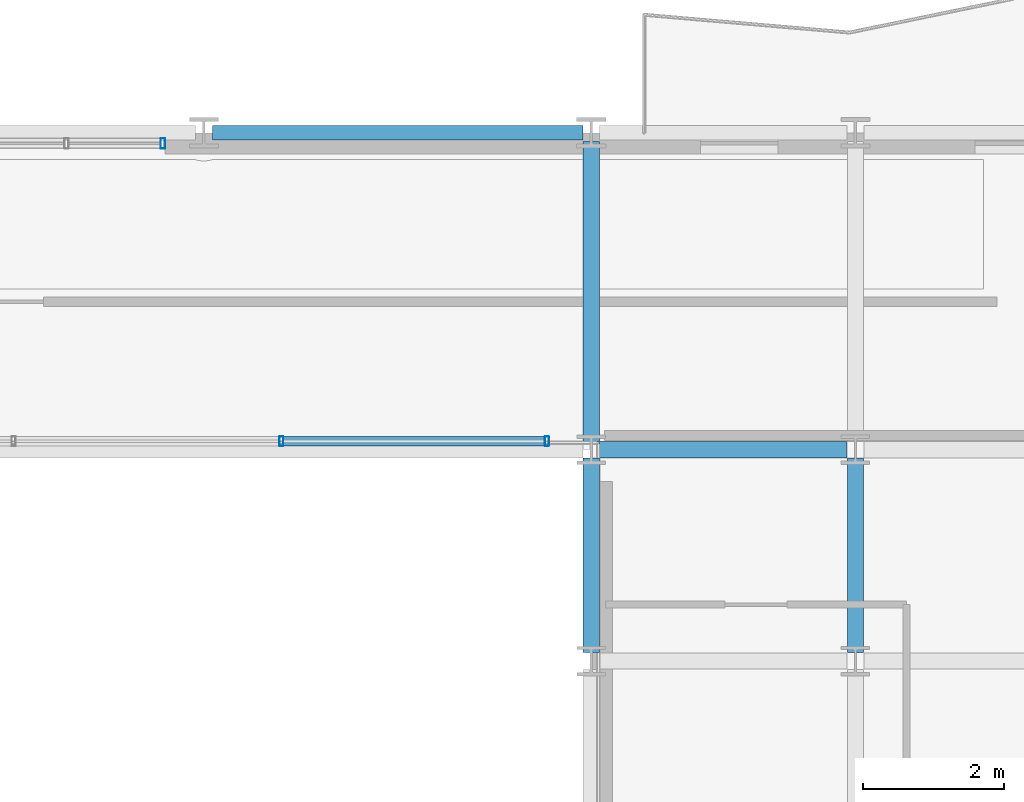
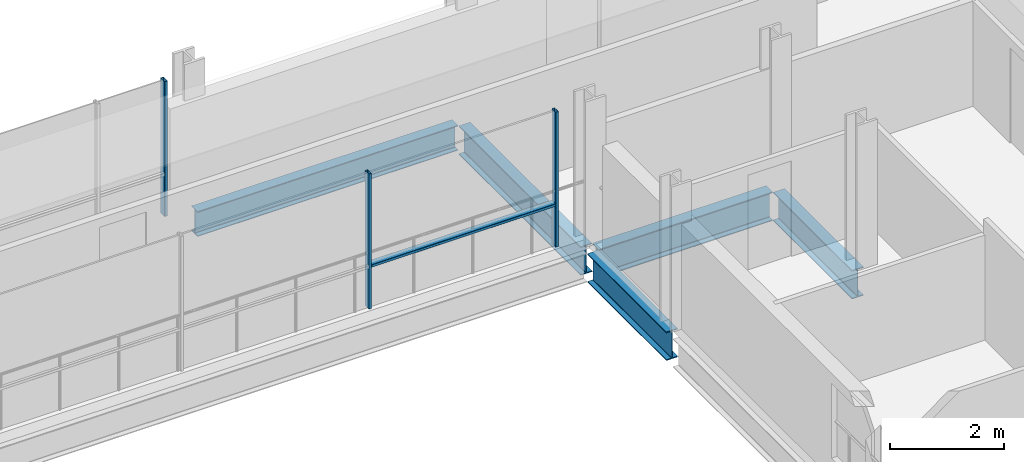
# One storey, part 17 of 39: 5 beams, 4 members, 2 elements without a shape of their own.
"""IFC4 building model written with IfcOpenShell, lengths in metres."""

from ifc_helpers import new_model, si_unit, direction, frame, origin, origin_2d, place, context, subcontext, project, spatial, hollow_rectangle, i_section, extrude, material, layer, layer_set, material_profile, profile_set, type_object, element, aggregate, save


model = new_model("IFC4")

# Units and contexts
model_context = context("Model", 3, precision=1e-05, world=origin(), true_north=direction((0.0, 1.0)))
body_context = subcontext(model_context, "Body", "Model", "MODEL_VIEW")
ifc_project = project(units=[si_unit("LENGTHUNIT", "METRE"), si_unit("AREAUNIT", "SQUARE_METRE"), si_unit("VOLUMEUNIT", "CUBIC_METRE"), si_unit("PLANEANGLEUNIT", "RADIAN"), si_unit("MASSUNIT", "GRAM", prefix="KILO")], contexts=[model_context])

# Site, building, storey
site_placement = place(None, origin())
site = spatial("IfcSite", under=ifc_project, at=site_placement, CompositionType="ELEMENT")
building_placement = place(site_placement, origin())
building = spatial("IfcBuilding", under=site, at=building_placement, Name="Brevholm Reach", CompositionType="ELEMENT")
storey_placement = place(building_placement, frame((0.0, 0.0, 109.699951171875)))
storey = spatial("IfcBuildingStorey", under=building, at=storey_placement, Name="L32", CompositionType="ELEMENT", Elevation=109.699951171875)

# Beams
ifc_material_1 = material(Name="Structural Steel S355J2", Category="steel")
ifc_material_profile_1 = material_profile(ifc_material_1, i_section(OverallWidth=0.209228515625, OverallDepth=0.533203125, WebThickness=0.010009765625, FlangeThickness=0.015625, FilletRadius=0.0126953125, at=origin_2d()), Name="UKB 533x210x92")
ifc_profile_set_1 = profile_set([ifc_material_profile_1], Name="Structural Steel S355J2")
beam_type_1 = type_object("IfcBeamType", Name="BM-SP533", PredefinedType="SPANDREL", material=ifc_profile_set_1)
beam_1_placement = place(storey_placement, frame((32.8701171875, 31.0, -0.486572265625), z_axis=(1.0, 0.0, 0.0), x_axis=(0.0, 1.0, 0.0)))
element("IfcBeam", 1, at=beam_1_placement, inside=storey, type_object=beam_type_1, Name="L32 SP-02 Framing Beam", PredefinedType="SPANDREL", context=body_context, shape_type="SweptSolid", body=[
    extrude(i_section(OverallWidth=0.209228515625, OverallDepth=0.533203125, WebThickness=0.010009765625, FlangeThickness=0.015625, FilletRadius=0.0126953125, at=origin_2d()), origin(), (0.0, 0.0, 1.0), 5.259765625),
])
ifc_material_2 = material(Name="Structural Steel S355J2", Category="steel")
ifc_material_profile_2 = material_profile(ifc_material_2, i_section(OverallWidth=0.22900390625, OverallDepth=0.6123046875, WebThickness=0.011962890625, FlangeThickness=0.01953125, FilletRadius=0.0126953125, at=origin_2d()), Name="UKB 610x229x125")
ifc_profile_set_2 = profile_set([ifc_material_profile_2], Name="Structural Steel S355J2")
beam_type_2 = type_object("IfcBeamType", Name="BM-SP610", PredefinedType="SPANDREL", material=ifc_profile_set_2)
beam_2_placement = place(storey_placement, frame((38.3701171875, 26.5, -0.526123046875), z_axis=(1.0, 0.0, 0.0), x_axis=(0.0, 1.0, 0.0)))
element("IfcBeam", 2, at=beam_2_placement, inside=storey, type_object=beam_type_2, Name="L32 SP-01 Framing Beam", PredefinedType="SPANDREL", context=body_context, shape_type="SweptSolid", body=[
    extrude(i_section(OverallWidth=0.22900390625, OverallDepth=0.6123046875, WebThickness=0.011962890625, FlangeThickness=0.01953125, FilletRadius=0.0126953125, at=origin_2d()), origin(), (0.0, 0.0, 1.0), 3.509765625),
])
beam_3_placement = place(storey_placement, frame((38.25, 23.6201171875, -0.526123046875), z_axis=(0.0, 1.0, 0.0), x_axis=(-1.0, 0.0, 0.0)))
element("IfcBeam", 3, at=beam_3_placement, inside=storey, type_object=beam_type_2, Name="L32 SP-01 Framing Beam", PredefinedType="SPANDREL", context=body_context, shape_type="SweptSolid", body=[
    extrude(i_section(OverallWidth=0.22900390625, OverallDepth=0.6123046875, WebThickness=0.011962890625, FlangeThickness=0.01953125, FilletRadius=0.0126953125, at=origin_2d()), origin(), (0.0, 0.0, 1.0), 2.759765625),
])
beam_4_placement = place(storey_placement, frame((38.25, 26.6201171875, -0.526123046875), z_axis=(0.0, 1.0, 0.0), x_axis=(-1.0, 0.0, 0.0)))
element("IfcBeam", 4, at=beam_4_placement, inside=storey, type_object=beam_type_2, Name="L32 SP-01 Framing Beam", PredefinedType="SPANDREL", context=body_context, shape_type="SweptSolid", body=[
    extrude(i_section(OverallWidth=0.22900390625, OverallDepth=0.6123046875, WebThickness=0.011962890625, FlangeThickness=0.01953125, FilletRadius=0.0126953125, at=origin_2d()), origin(), (0.0, 0.0, 1.0), 4.259765625),
])
beam_5_placement = place(storey_placement, frame((42.0, 23.6201171875, -0.526123046875), z_axis=(0.0, 1.0, 0.0), x_axis=(-1.0, 0.0, 0.0)))
element("IfcBeam", 5, at=beam_5_placement, inside=storey, type_object=beam_type_2, Name="L32 SP-01 Framing Beam", PredefinedType="SPANDREL", context=body_context, shape_type="SweptSolid", body=[
    extrude(i_section(OverallWidth=0.22900390625, OverallDepth=0.6123046875, WebThickness=0.011962890625, FlangeThickness=0.01953125, FilletRadius=0.0126953125, at=origin_2d()), origin(), (0.0, 0.0, 1.0), 2.759765625),
])

# Curtain wall, members
ifc_material_3 = material(Name="Dark Anodised Aluminium 6063-T6 and Solar-Control Glass", Category="aluminium")
ifc_layer_1 = layer(ifc_material_3, 0.139892578125)
ifc_layer_set_1 = layer_set([ifc_layer_1], Name="Dark Anodised Aluminium 6063-T6 and Solar-Control Glass")
curtain_wall_type_1 = type_object("IfcCurtainWallType", Name="CW-02", PredefinedType="NOTDEFINED", material=ifc_layer_set_1)
curtain_wall_1_placement = place(storey_placement, origin())
curtain_wall_1 = element("IfcCurtainWall", 6, at=curtain_wall_1_placement, inside=storey, type_object=curtain_wall_type_1, Name="L32 Curtain Wall CW-02", PredefinedType="NOTDEFINED")
ifc_material_4 = material(Name="Dark Anodised Aluminium 6063-T6", Category="aluminium")
ifc_material_profile_3 = material_profile(ifc_material_4, hollow_rectangle(XDim=0.06005859375, YDim=0.139892578125, WallThickness=0.0048828125, InnerFilletRadius=0.0048828125, OuterFilletRadius=0.010009765625, at=origin_2d()), Name="RHS 140x60x5")
ifc_profile_set_3 = profile_set([ifc_material_profile_3], Name="Dark Anodised Aluminium 6063-T6")
member_type_1 = type_object("IfcMemberType", Name="CWM-140", PredefinedType="MULLION", material=ifc_profile_set_3)
member_1_placement = place(storey_placement, frame((37.6201171875, 26.6201171875, 0.0), z_axis=(0.0, 0.0, 1.0), x_axis=(-1.0, 0.0, 0.0)))
member_1 = element("IfcMember", 7, at=member_1_placement, type_object=member_type_1, Name="CM-140 Mullion 1", PredefinedType="MULLION", context=body_context, shape_type="SweptSolid", body=[
    extrude(hollow_rectangle(XDim=0.06005859375, YDim=0.139892578125, WallThickness=0.0048828125, InnerFilletRadius=0.0048828125, OuterFilletRadius=0.010009765625, at=origin_2d()), origin(), (0.0, 0.0, 1.0), 2.880126953125),
])
member_2_placement = place(storey_placement, frame((33.85009765625, 26.6201171875, 0.0), z_axis=(0.0, 0.0, 1.0), x_axis=(-1.0, 0.0, 0.0)))
member_2 = element("IfcMember", 8, at=member_2_placement, type_object=member_type_1, Name="CM-140 Mullion 2", PredefinedType="MULLION", context=body_context, shape_type="SweptSolid", body=[
    extrude(hollow_rectangle(XDim=0.06005859375, YDim=0.139892578125, WallThickness=0.0048828125, InnerFilletRadius=0.0048828125, OuterFilletRadius=0.010009765625, at=origin_2d()), origin(), (0.0, 0.0, 1.0), 2.880126953125),
])

# Curtain wall, member
ifc_material_5 = material(Name="Dark Anodised Aluminium 6063-T6 and Solar-Control Glass", Category="aluminium")
ifc_layer_2 = layer(ifc_material_5, 0.14990234375)
ifc_layer_set_2 = layer_set([ifc_layer_2], Name="Dark Anodised Aluminium 6063-T6 and Solar-Control Glass")
curtain_wall_type_2 = type_object("IfcCurtainWallType", Name="CW-01", PredefinedType="NOTDEFINED", material=ifc_layer_set_2)
curtain_wall_2_placement = place(storey_placement, origin())
curtain_wall_2 = element("IfcCurtainWall", 9, at=curtain_wall_2_placement, inside=storey, type_object=curtain_wall_type_2, Name="L32 Curtain Wall CW-01", PredefinedType="NOTDEFINED")
ifc_material_6 = material(Name="Dark Anodised Aluminium 6063-T6", Category="aluminium")
ifc_material_profile_4 = material_profile(ifc_material_6, hollow_rectangle(XDim=0.06494140625, YDim=0.14990234375, WallThickness=0.0048828125, InnerFilletRadius=0.0048828125, OuterFilletRadius=0.010009765625, at=origin_2d()), Name="RHS 150x65x5")
ifc_profile_set_4 = profile_set([ifc_material_profile_4], Name="Dark Anodised Aluminium 6063-T6")
member_type_2 = type_object("IfcMemberType", Name="CWM-150", PredefinedType="MULLION", material=ifc_profile_set_4)
member_3_placement = place(storey_placement, frame((32.16748046875, 30.85009765625, 0.0), z_axis=(0.0, 0.0, 1.0), x_axis=(1.0, 0.0, 0.0)))
member_3 = element("IfcMember", 10, at=member_3_placement, type_object=member_type_2, Name="CM-150 Mullion 3", PredefinedType="MULLION", context=body_context, shape_type="SweptSolid", body=[
    extrude(hollow_rectangle(XDim=0.06494140625, YDim=0.14990234375, WallThickness=0.0048828125, InnerFilletRadius=0.0048828125, OuterFilletRadius=0.010009765625, at=origin_2d()), origin(), (0.0, 0.0, 1.0), 2.880126953125),
])
aggregate(curtain_wall_2, [member_3])

# Member
ifc_material_7 = material(Name="Dark Anodised Aluminium 6063-T6", Category="aluminium")
ifc_material_profile_5 = material_profile(ifc_material_7, hollow_rectangle(XDim=0.06005859375, YDim=0.139892578125, WallThickness=0.0048828125, InnerFilletRadius=0.0048828125, OuterFilletRadius=0.010009765625, at=origin_2d()), Name="RHS 140x60x5")
ifc_profile_set_5 = profile_set([ifc_material_profile_5], Name="Dark Anodised Aluminium 6063-T6")
member_type_3 = type_object("IfcMemberType", Name="CWT-140", PredefinedType="NOTDEFINED", material=ifc_profile_set_5)
member_4_placement = place(storey_placement, frame((37.590087890625, 26.6201171875, 0.900146484375), z_axis=(-1.0, 0.0, 0.0), x_axis=(0.0, 0.0, 1.0)))
member_4 = element("IfcMember", 11, at=member_4_placement, type_object=member_type_3, Name="CT-140 Transom 1.1", ObjectType="TRANSOM", PredefinedType="USERDEFINED", context=body_context, shape_type="SweptSolid", body=[
    extrude(hollow_rectangle(XDim=0.06005859375, YDim=0.139892578125, WallThickness=0.0048828125, InnerFilletRadius=0.0048828125, OuterFilletRadius=0.010009765625, at=origin_2d()), origin(), (0.0, 0.0, 1.0), 3.710205078125),
])

aggregate(curtain_wall_1, [member_1, member_2, member_4])

save(model, "model.ifc")
